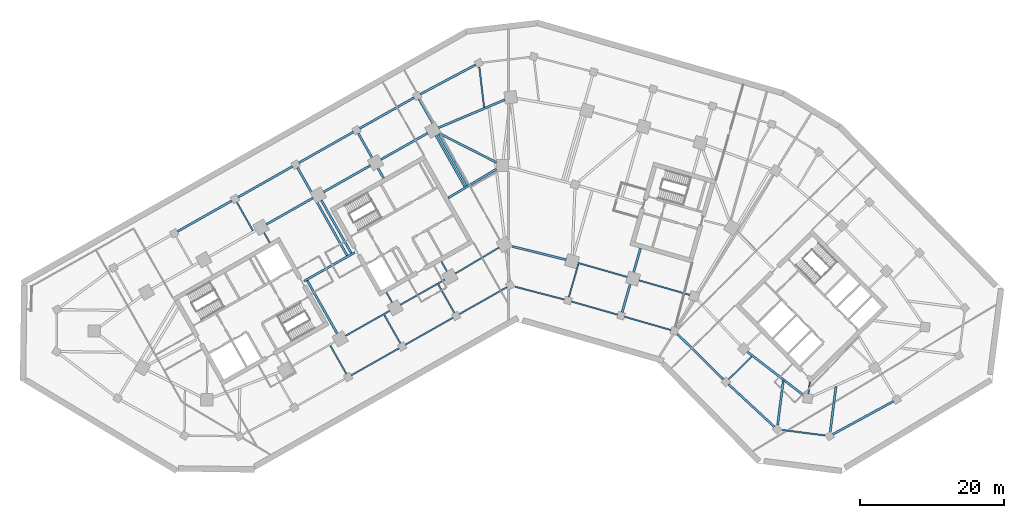
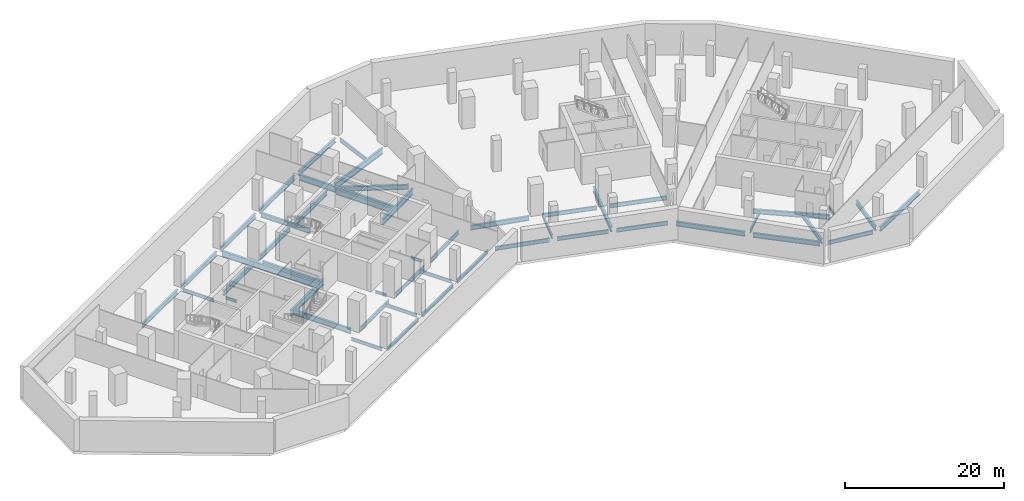
# One storey, part 2 of 13: 49 beams.
"""IFC4 building model written with IfcOpenShell, lengths in metres."""

from ifc_helpers import new_model, si_unit, direction, frame, origin, origin_2d, place, context, subcontext, project, spatial, i_section, extrude, material, material_profile, profile_set, type_object, element, save


model = new_model("IFC4")

# Units and contexts
model_context = context("Model", 3, precision=1e-05, world=origin(), true_north=direction((0.0, 1.0)))
body_context = subcontext(model_context, "Body", "Model", "MODEL_VIEW")
ifc_project = project(units=[si_unit("LENGTHUNIT", "METRE"), si_unit("AREAUNIT", "SQUARE_METRE"), si_unit("VOLUMEUNIT", "CUBIC_METRE"), si_unit("PLANEANGLEUNIT", "RADIAN"), si_unit("MASSUNIT", "GRAM", prefix="KILO")], contexts=[model_context])

# Site, building, storey
site_placement = place(None, origin())
site = spatial("IfcSite", under=ifc_project, at=site_placement, CompositionType="ELEMENT")
building_placement = place(site_placement, origin())
building = spatial("IfcBuilding", under=site, at=building_placement, Name="Binnacle Exchange Tower", CompositionType="ELEMENT")
storey_placement = place(building_placement, frame((0.0, 0.0, -4.800048828125)))
storey = spatial("IfcBuildingStorey", under=building, at=storey_placement, Name="B1", CompositionType="ELEMENT", Elevation=-4.800048828125)

# Beams
ifc_material = material(Name="Steel S355 (SHN355)", Category="steel")
ifc_material_profile_1 = material_profile(ifc_material, i_section(OverallWidth=0.199951171875, OverallDepth=0.60009765625, WebThickness=0.010986328125, FlangeThickness=0.01708984375, FilletRadius=0.02197265625, at=origin_2d()), Name="H 600x200x11x17")
ifc_profile_set_1 = profile_set([ifc_material_profile_1], Name="Steel S355 (SHN355)")
beam_type_1 = type_object("IfcBeamType", Name="Edge girder H 600x200x11x17 Steel S355 (SHN355)", PredefinedType="SPANDREL", material=ifc_profile_set_1)
beam_1_placement = place(storey_placement, frame((15.1474609375, 39.287353515625, -0.699951171875), z_axis=(-0.961262967186, 0.275632922412, 0.0), x_axis=(-0.275632922412, -0.961262967186, 0.0)))
element("IfcBeam", 1, at=beam_1_placement, inside=storey, type_object=beam_type_1, Name="S:BM:edge:B1:051", PredefinedType="SPANDREL", context=body_context, shape_type="SweptSolid", body=[
    extrude(i_section(OverallWidth=0.199951171875, OverallDepth=0.60009765625, WebThickness=0.010986328125, FlangeThickness=0.01708984375, FilletRadius=0.02197265625, at=origin_2d()), origin(), (0.0, 0.0, 1.0), 6.682861328125),
])
beam_2_placement = place(storey_placement, frame((22.532470703125, 37.169677734375, -0.699951171875), z_axis=(-0.961260191586, 0.275642602064, 0.0), x_axis=(-0.275642602064, -0.961260191586, 0.0)))
element("IfcBeam", 2, at=beam_2_placement, inside=storey, type_object=beam_type_1, Name="S:BM:edge:B1:055", PredefinedType="SPANDREL", context=body_context, shape_type="SweptSolid", body=[
    extrude(i_section(OverallWidth=0.199951171875, OverallDepth=0.60009765625, WebThickness=0.010986328125, FlangeThickness=0.01708984375, FilletRadius=0.02197265625, at=origin_2d()), origin(), (0.0, 0.0, 1.0), 6.6826171875),
])
beam_3_placement = place(storey_placement, frame((43.931884765625, 22.540283203125, -0.699951171875), z_axis=(-0.992003760978, 0.126208312743, 0.0), x_axis=(-0.126208312743, -0.992003760978, 0.0)))
element("IfcBeam", 3, at=beam_3_placement, inside=storey, type_object=beam_type_1, Name="S:BM:edge:B1:066", PredefinedType="SPANDREL", context=body_context, shape_type="SweptSolid", body=[
    extrude(i_section(OverallWidth=0.199951171875, OverallDepth=0.60009765625, WebThickness=0.010986328125, FlangeThickness=0.01708984375, FilletRadius=0.02197265625, at=origin_2d()), origin(), (0.0, 0.0, 1.0), 6.081787109375),
])
ifc_material_profile_2 = material_profile(ifc_material, i_section(OverallWidth=0.200927734375, OverallDepth=0.60595703125, WebThickness=0.011962890625, FlangeThickness=0.02001953125, FilletRadius=0.02197265625, at=origin_2d()), Name="H 606x201x12x20")
ifc_profile_set_2 = profile_set([ifc_material_profile_2], Name="Steel S355 (SHN355)")
beam_type_2 = type_object("IfcBeamType", Name="Edge girder H 606x201x12x20 Steel S355 (SHN355)", PredefinedType="SPANDREL", material=ifc_profile_set_2)
beam_4_placement = place(storey_placement, frame((7.7587890625, 41.393310546875, -0.702880859375), z_axis=(-0.967768014177, 0.251843345627, 0.0), x_axis=(-0.251843345627, -0.967768014177, 0.0)))
element("IfcBeam", 4, at=beam_4_placement, inside=storey, type_object=beam_type_2, Name="S:BM:edge:B1:047", PredefinedType="SPANDREL", context=body_context, shape_type="SweptSolid", body=[
    extrude(i_section(OverallWidth=0.200927734375, OverallDepth=0.60595703125, WebThickness=0.011962890625, FlangeThickness=0.02001953125, FilletRadius=0.02197265625, at=origin_2d()), origin(), (0.0, 0.0, 1.0), 7.09521484375),
])
ifc_material_profile_3 = material_profile(ifc_material, i_section(OverallWidth=0.201904296875, OverallDepth=0.612060546875, WebThickness=0.012939453125, FlangeThickness=0.02294921875, FilletRadius=0.02197265625, at=origin_2d()), Name="H 612x202x13x23")
ifc_profile_set_3 = profile_set([ifc_material_profile_3], Name="Steel S355 (SHN355)")
beam_type_3 = type_object("IfcBeamType", Name="Edge girder H 612x202x13x23 Steel S355 (SHN355)", PredefinedType="SPANDREL", material=ifc_profile_set_3)
beam_5_placement = place(storey_placement, frame((-22.6162109375, 36.36474609375, -0.7060546875), z_axis=(0.870350053651, 0.492433532681, 0.0), x_axis=(-0.492433532681, 0.870350053651, 0.0)))
element("IfcBeam", 5, at=beam_5_placement, inside=storey, type_object=beam_type_3, Name="S:BM:edge:B1:033", PredefinedType="SPANDREL", context=body_context, shape_type="SweptSolid", body=[
    extrude(i_section(OverallWidth=0.201904296875, OverallDepth=0.612060546875, WebThickness=0.012939453125, FlangeThickness=0.02294921875, FilletRadius=0.02197265625, at=origin_2d()), origin(), (0.0, 0.0, 1.0), 7.054443359375),
])
beam_6_placement = place(storey_placement, frame((-15.1962890625, 34.63427734375, -0.7060546875), z_axis=(-0.870352907673, -0.492428488316, 0.0), x_axis=(0.492428488316, -0.870352907673, 0.0)))
element("IfcBeam", 6, at=beam_6_placement, inside=storey, type_object=beam_type_3, Name="S:BM:edge:B1:036", PredefinedType="SPANDREL", context=body_context, shape_type="SweptSolid", body=[
    extrude(i_section(OverallWidth=0.201904296875, OverallDepth=0.612060546875, WebThickness=0.012939453125, FlangeThickness=0.02294921875, FilletRadius=0.02197265625, at=origin_2d()), origin(), (0.0, 0.0, 1.0), 7.60546875),
])
beam_7_placement = place(storey_placement, frame((-14.99658203125, 40.67578125, -0.7060546875), z_axis=(0.870364886025, 0.492407316329, 0.0), x_axis=(-0.492407316329, 0.870364886025, 0.0)))
element("IfcBeam", 7, at=beam_7_placement, inside=storey, type_object=beam_type_3, Name="S:BM:edge:B1:037", PredefinedType="SPANDREL", context=body_context, shape_type="SweptSolid", body=[
    extrude(i_section(OverallWidth=0.201904296875, OverallDepth=0.612060546875, WebThickness=0.012939453125, FlangeThickness=0.02294921875, FilletRadius=0.02197265625, at=origin_2d()), origin(), (0.0, 0.0, 1.0), 7.054443359375),
])
beam_8_placement = place(storey_placement, frame((-7.706298828125, 38.871826171875, -0.7060546875), z_axis=(-0.870352907673, -0.492428488316, 0.0), x_axis=(0.492428488316, -0.870352907673, 0.0)))
element("IfcBeam", 8, at=beam_8_placement, inside=storey, type_object=beam_type_3, Name="S:BM:edge:B1:040", PredefinedType="SPANDREL", context=body_context, shape_type="SweptSolid", body=[
    extrude(i_section(OverallWidth=0.201904296875, OverallDepth=0.612060546875, WebThickness=0.012939453125, FlangeThickness=0.02294921875, FilletRadius=0.02197265625, at=origin_2d()), origin(), (0.0, 0.0, 1.0), 7.60546875),
])
beam_9_placement = place(storey_placement, frame((-7.38623046875, 45.002685546875, -0.7060546875), z_axis=(0.859464815262, 0.511194905419, 0.0), x_axis=(-0.511194905419, 0.859464815262, 0.0)))
element("IfcBeam", 9, at=beam_9_placement, inside=storey, type_object=beam_type_3, Name="S:BM:edge:B1:041", PredefinedType="SPANDREL", context=body_context, shape_type="SweptSolid", body=[
    extrude(i_section(OverallWidth=0.201904296875, OverallDepth=0.612060546875, WebThickness=0.012939453125, FlangeThickness=0.02294921875, FilletRadius=0.02197265625, at=origin_2d()), origin(), (0.0, 0.0, 1.0), 7.056396484375),
])
beam_10_placement = place(storey_placement, frame((-0.216552734375, 43.109375, -0.7060546875), z_axis=(-0.870352907673, -0.492428488316, 0.0), x_axis=(0.492428488316, -0.870352907673, 0.0)))
element("IfcBeam", 10, at=beam_10_placement, inside=storey, type_object=beam_type_3, Name="S:BM:edge:B1:044", PredefinedType="SPANDREL", context=body_context, shape_type="SweptSolid", body=[
    extrude(i_section(OverallWidth=0.201904296875, OverallDepth=0.612060546875, WebThickness=0.012939453125, FlangeThickness=0.02294921875, FilletRadius=0.02197265625, at=origin_2d()), origin(), (0.0, 0.0, 1.0), 7.60546875),
])
beam_11_placement = place(storey_placement, frame((9.626708984375, 46.488037109375, -0.7060546875), z_axis=(0.961260850036, -0.275640305812, 0.0), x_axis=(0.275640305812, 0.961260850036, 0.0)))
element("IfcBeam", 11, at=beam_11_placement, inside=storey, type_object=beam_type_3, Name="S:BM:edge:B1:048", PredefinedType="SPANDREL", context=body_context, shape_type="SweptSolid", body=[
    extrude(i_section(OverallWidth=0.201904296875, OverallDepth=0.612060546875, WebThickness=0.012939453125, FlangeThickness=0.02294921875, FilletRadius=0.02197265625, at=origin_2d()), origin(), (0.0, 0.0, 1.0), 7.120361328125),
])
beam_12_placement = place(storey_placement, frame((18.105224609375, 44.056884765625, -0.7060546875), z_axis=(0.96126047873, -0.275641600691, 0.0), x_axis=(0.275641600691, 0.96126047873, 0.0)))
element("IfcBeam", 12, at=beam_12_placement, inside=storey, type_object=beam_type_3, Name="S:BM:edge:B1:053", PredefinedType="SPANDREL", context=body_context, shape_type="SweptSolid", body=[
    extrude(i_section(OverallWidth=0.201904296875, OverallDepth=0.612060546875, WebThickness=0.012939453125, FlangeThickness=0.02294921875, FilletRadius=0.02197265625, at=origin_2d()), origin(), (0.0, 0.0, 1.0), 7.320556640625),
])
ifc_material_profile_4 = material_profile(ifc_material, i_section(OverallWidth=0.300048828125, OverallDepth=0.699951171875, WebThickness=0.012939453125, FlangeThickness=0.02392578125, FilletRadius=0.028076171875, at=origin_2d()), Name="H 700x300x13x24")
ifc_profile_set_4 = profile_set([ifc_material_profile_4], Name="Steel S355 (SHN355)")
beam_type_4 = type_object("IfcBeamType", Name="Edge girder H 700x300x13x24 Steel S355 (SHN355)", PredefinedType="SPANDREL", material=ifc_profile_set_4)
for number, where, z_axis, x_axis, name in (
    (13, (-45.94580078125, 50.830810546875, -0.75), (0.870370078582, 0.492398138003, 0.0), (-0.492398138003, 0.870370078582, 0.0), "S:BM:edge:B1:021"),
    (14, (-37.517333984375, 55.59912109375, -0.75), (0.870339162406, 0.492452781881, 0.0), (-0.492452781881, 0.870339162406, 0.0), "S:BM:edge:B1:026"),
    (15, (-29.089111328125, 60.367919921875, -0.75), (0.870358029477, 0.492419435567, 0.0), (-0.492419435567, 0.870358029477, 0.0), "S:BM:edge:B1:030"),
):
    element("IfcBeam", number, at=place(storey_placement, frame(where, z_axis=z_axis, x_axis=x_axis)), inside=storey, type_object=beam_type_4, Name=name, PredefinedType="SPANDREL", context=body_context, shape_type="SweptSolid", body=[
        extrude(i_section(OverallWidth=0.300048828125, OverallDepth=0.699951171875, WebThickness=0.012939453125, FlangeThickness=0.02392578125, FilletRadius=0.028076171875, at=origin_2d()), origin(), (0.0, 0.0, 1.0), 8.683837890625),
    ])
beam_13_placement = place(storey_placement, frame((-27.12744140625, 55.49169921875, -0.75), z_axis=(-0.870350394687, -0.492432929919, 0.0), x_axis=(0.492432929919, -0.870350394687, 0.0)))
element("IfcBeam", 16, at=beam_13_placement, inside=storey, type_object=beam_type_4, Name="S:BM:edge:B1:031", PredefinedType="SPANDREL", context=body_context, shape_type="SweptSolid", body=[
    extrude(i_section(OverallWidth=0.300048828125, OverallDepth=0.699951171875, WebThickness=0.012939453125, FlangeThickness=0.02392578125, FilletRadius=0.028076171875, at=origin_2d()), origin(), (0.0, 0.0, 1.0), 7.429931640625),
])
beam_14_placement = place(storey_placement, frame((-20.66064453125, 65.136474609375, -0.75), z_axis=(0.870358029477, 0.492419435567, 0.0), x_axis=(-0.492419435567, 0.870358029477, 0.0)))
element("IfcBeam", 17, at=beam_14_placement, inside=storey, type_object=beam_type_4, Name="S:BM:edge:B1:034", PredefinedType="SPANDREL", context=body_context, shape_type="SweptSolid", body=[
    extrude(i_section(OverallWidth=0.300048828125, OverallDepth=0.699951171875, WebThickness=0.012939453125, FlangeThickness=0.02392578125, FilletRadius=0.028076171875, at=origin_2d()), origin(), (0.0, 0.0, 1.0), 8.683837890625),
])
beam_15_placement = place(storey_placement, frame((-19.18115234375, 59.9873046875, -0.75), z_axis=(-0.870364477798, -0.492408037898, 0.0), x_axis=(0.492408037898, -0.870364477798, 0.0)))
element("IfcBeam", 18, at=beam_15_placement, inside=storey, type_object=beam_type_4, Name="S:BM:edge:B1:035", PredefinedType="SPANDREL", context=body_context, shape_type="SweptSolid", body=[
    extrude(i_section(OverallWidth=0.300048828125, OverallDepth=0.699951171875, WebThickness=0.012939453125, FlangeThickness=0.02392578125, FilletRadius=0.028076171875, at=origin_2d()), origin(), (0.0, 0.0, 1.0), 7.4296875),
])
beam_16_placement = place(storey_placement, frame((-12.225830078125, 69.893798828125, -0.75), z_axis=(0.882784358994, 0.469778432365, 0.0), x_axis=(-0.469778432365, 0.882784358994, 0.0)))
element("IfcBeam", 19, at=beam_16_placement, inside=storey, type_object=beam_type_4, Name="S:BM:edge:B1:038", PredefinedType="SPANDREL", context=body_context, shape_type="SweptSolid", body=[
    extrude(i_section(OverallWidth=0.300048828125, OverallDepth=0.699951171875, WebThickness=0.012939453125, FlangeThickness=0.02392578125, FilletRadius=0.028076171875, at=origin_2d()), origin(), (0.0, 0.0, 1.0), 8.686767578125),
])
beam_17_placement = place(storey_placement, frame((-11.23486328125, 64.483154296875, -0.75), z_axis=(-0.870364477798, -0.492408037898, 0.0), x_axis=(0.492408037898, -0.870364477798, 0.0)))
element("IfcBeam", 20, at=beam_17_placement, inside=storey, type_object=beam_type_4, Name="S:BM:edge:B1:039", PredefinedType="SPANDREL", context=body_context, shape_type="SweptSolid", body=[
    extrude(i_section(OverallWidth=0.300048828125, OverallDepth=0.699951171875, WebThickness=0.012939453125, FlangeThickness=0.02392578125, FilletRadius=0.028076171875, at=origin_2d()), origin(), (0.0, 0.0, 1.0), 7.4296875),
])
beam_18_placement = place(storey_placement, frame((0.54443359375, 48.763916015625, -0.75), z_axis=(0.970818997342, -0.239813415805, 0.0), x_axis=(0.239813415805, 0.970818997342, 0.0)))
element("IfcBeam", 21, at=beam_18_placement, inside=storey, type_object=beam_type_4, Name="S:BM:edge:B1:045", PredefinedType="SPANDREL", context=body_context, shape_type="SweptSolid", body=[
    extrude(i_section(OverallWidth=0.300048828125, OverallDepth=0.699951171875, WebThickness=0.012939453125, FlangeThickness=0.02392578125, FilletRadius=0.028076171875, at=origin_2d()), origin(), (0.0, 0.0, 1.0), 7.662841796875),
])
beam_19_placement = place(storey_placement, frame((29.81640625, 30.31689453125, -0.75), z_axis=(-0.711708607818, 0.702474809198, 0.0), x_axis=(-0.702474809198, -0.711708607818, 0.0)))
element("IfcBeam", 22, at=beam_19_placement, inside=storey, type_object=beam_type_4, Name="S:BM:edge:B1:059", PredefinedType="SPANDREL", context=body_context, shape_type="SweptSolid", body=[
    extrude(i_section(OverallWidth=0.300048828125, OverallDepth=0.699951171875, WebThickness=0.012939453125, FlangeThickness=0.02392578125, FilletRadius=0.028076171875, at=origin_2d()), origin(), (0.0, 0.0, 1.0), 8.989501953125),
])
beam_20_placement = place(storey_placement, frame((33.160400390625, 34.12890625, -0.75), z_axis=(0.791533490776, -0.611125791454, 0.0), x_axis=(0.611125791454, 0.791533490776, 0.0)))
element("IfcBeam", 23, at=beam_20_placement, inside=storey, type_object=beam_type_4, Name="S:BM:edge:B1:060", PredefinedType="SPANDREL", context=body_context, shape_type="SweptSolid", body=[
    extrude(i_section(OverallWidth=0.300048828125, OverallDepth=0.699951171875, WebThickness=0.012939453125, FlangeThickness=0.02392578125, FilletRadius=0.028076171875, at=origin_2d()), origin(), (0.0, 0.0, 1.0), 9.80712890625),
])
beam_21_placement = place(storey_placement, frame((36.89990234375, 23.728515625, -0.75), z_axis=(-0.733314595009, 0.679889479803, 0.0), x_axis=(-0.679889479803, -0.733314595009, 0.0)))
element("IfcBeam", 24, at=beam_21_placement, inside=storey, type_object=beam_type_4, Name="S:BM:edge:B1:062", PredefinedType="SPANDREL", context=body_context, shape_type="SweptSolid", body=[
    extrude(i_section(OverallWidth=0.300048828125, OverallDepth=0.699951171875, WebThickness=0.012939453125, FlangeThickness=0.02392578125, FilletRadius=0.028076171875, at=origin_2d()), origin(), (0.0, 0.0, 1.0), 8.67333984375),
])
beam_22_placement = place(storey_placement, frame((53.42431640625, 27.28369140625, -0.75), z_axis=(-0.878284521439, -0.478138368468, 0.0), x_axis=(0.478138368468, -0.878284521439, 0.0)))
element("IfcBeam", 25, at=beam_22_placement, inside=storey, type_object=beam_type_4, Name="S:BM:edge:B1:071", PredefinedType="SPANDREL", context=body_context, shape_type="SweptSolid", body=[
    extrude(i_section(OverallWidth=0.300048828125, OverallDepth=0.699951171875, WebThickness=0.012939453125, FlangeThickness=0.02392578125, FilletRadius=0.028076171875, at=origin_2d()), origin(), (0.0, 0.0, 1.0), 9.588134765625),
])
ifc_material_profile_5 = material_profile(ifc_material, i_section(OverallWidth=0.302978515625, OverallDepth=0.91796875, WebThickness=0.01904296875, FlangeThickness=0.037109375, FilletRadius=0.028076171875, at=origin_2d()), Name="H 918x303x19x37")
ifc_profile_set_5 = profile_set([ifc_material_profile_5], Name="Steel S355 (SHN355)")
beam_type_5 = type_object("IfcBeamType", Name="Edge girder H 918x303x19x37 Steel S355 (SHN355)", PredefinedType="SPANDREL", material=ifc_profile_set_5)
beam_23_placement = place(storey_placement, frame((-0.51513671875, 69.11962890625, -0.85888671875), z_axis=(-0.921111373297, -0.389299162578, 0.0), x_axis=(0.389299162578, -0.921111373297, 0.0)))
element("IfcBeam", 26, at=beam_23_placement, inside=storey, type_object=beam_type_5, Name="S:BM:edge:B1:043", PredefinedType="SPANDREL", context=body_context, shape_type="SweptSolid", body=[
    extrude(i_section(OverallWidth=0.302978515625, OverallDepth=0.91796875, WebThickness=0.01904296875, FlangeThickness=0.037109375, FilletRadius=0.028076171875, at=origin_2d()), origin(), (0.0, 0.0, 1.0), 9.978759765625),
])
ifc_material_profile_6 = material_profile(ifc_material, i_section(OverallWidth=0.199951171875, OverallDepth=0.39990234375, WebThickness=0.008056640625, FlangeThickness=0.012939453125, FilletRadius=0.01611328125, at=origin_2d()), Name="H 400x200x8x13")
ifc_profile_set_6 = profile_set([ifc_material_profile_6], Name="Steel S355 (SHN355)")
beam_type_6 = type_object("IfcBeamType", Name="Floor beam H 400x200x8x13 Steel S355 (SHN355)", PredefinedType="BEAM", material=ifc_profile_set_6)
beam_24_placement = place(storey_placement, frame((-33.915283203125, 50.674560546875, -0.599853515625), z_axis=(0.492483715062, -0.870321659158, 0.0), x_axis=(0.870321659158, 0.492483715062, 0.0)))
element("IfcBeam", 27, at=beam_24_placement, inside=storey, type_object=beam_type_6, Name="S:BM:cross:B1:087", PredefinedType="BEAM", context=body_context, shape_type="SweptSolid", body=[
    extrude(i_section(OverallWidth=0.199951171875, OverallDepth=0.39990234375, WebThickness=0.008056640625, FlangeThickness=0.012939453125, FilletRadius=0.01611328125, at=origin_2d()), origin(), (0.0, 0.0, 1.0), 1.58447265625),
])
beam_25_placement = place(storey_placement, frame((-16.155029296875, 40.9970703125, -0.599853515625), z_axis=(-0.492366981934, 0.870387703901, 0.0), x_axis=(-0.870387703901, -0.492366981934, 0.0)))
element("IfcBeam", 28, at=beam_25_placement, inside=storey, type_object=beam_type_6, Name="S:BM:cross:B1:095", PredefinedType="BEAM", context=body_context, shape_type="SweptSolid", body=[
    extrude(i_section(OverallWidth=0.199951171875, OverallDepth=0.39990234375, WebThickness=0.008056640625, FlangeThickness=0.012939453125, FilletRadius=0.01611328125, at=origin_2d()), origin(), (0.0, 0.0, 1.0), 1.584228515625),
])
beam_26_placement = place(storey_placement, frame((-8.535400390625, 45.307861328125, -0.599853515625), z_axis=(-0.492483715062, 0.870321659158, 0.0), x_axis=(-0.870321659158, -0.492483715062, 0.0)))
element("IfcBeam", 29, at=beam_26_placement, inside=storey, type_object=beam_type_6, Name="S:BM:cross:B1:099", PredefinedType="BEAM", context=body_context, shape_type="SweptSolid", body=[
    extrude(i_section(OverallWidth=0.199951171875, OverallDepth=0.39990234375, WebThickness=0.008056640625, FlangeThickness=0.012939453125, FilletRadius=0.01611328125, at=origin_2d()), origin(), (0.0, 0.0, 1.0), 1.58447265625),
])
beam_27_placement = place(storey_placement, frame((41.601806640625, 28.319580078125, -0.599853515625), z_axis=(0.126197116971, 0.992005185303, 0.0), x_axis=(-0.992005185303, 0.126197116971, 0.0)))
element("IfcBeam", 30, at=beam_27_placement, inside=storey, type_object=beam_type_6, Name="S:BM:cross:B1:118", PredefinedType="BEAM", context=body_context, shape_type="SweptSolid", body=[
    extrude(i_section(OverallWidth=0.199951171875, OverallDepth=0.39990234375, WebThickness=0.008056640625, FlangeThickness=0.012939453125, FilletRadius=0.01611328125, at=origin_2d()), origin(), (0.0, 0.0, 1.0), 1.68115234375),
])
ifc_material_profile_7 = material_profile(ifc_material, i_section(OverallWidth=0.200927734375, OverallDepth=0.506103515625, WebThickness=0.010986328125, FlangeThickness=0.01904296875, FilletRadius=0.02001953125, at=origin_2d()), Name="H 506x201x11x19")
ifc_profile_set_7 = profile_set([ifc_material_profile_7], Name="Steel S355 (SHN355)")
beam_type_7 = type_object("IfcBeamType", Name="Floor beam H 506x201x11x19 Steel S355 (SHN355)", PredefinedType="BEAM", material=ifc_profile_set_7)
beam_28_placement = place(storey_placement, frame((-37.706298828125, 54.917724609375, -0.65283203125), z_axis=(0.492415355874, -0.870360337619, 0.0), x_axis=(0.870360337619, 0.492415355874, 0.0)))
element("IfcBeam", 31, at=beam_28_placement, inside=storey, type_object=beam_type_7, Name="S:BM:cross:B1:085", PredefinedType="BEAM", context=body_context, shape_type="SweptSolid", body=[
    extrude(i_section(OverallWidth=0.200927734375, OverallDepth=0.506103515625, WebThickness=0.010986328125, FlangeThickness=0.01904296875, FilletRadius=0.02001953125, at=origin_2d()), origin(), (0.0, 0.0, 1.0), 4.559814453125),
])
for number, where, z_axis, x_axis, name in (
    (32, (-22.4970703125, 31.078125, -0.65283203125), (-0.492403272389, 0.870367173864, 0.0), (-0.870367173864, -0.492403272389, 0.0), "S:BM:cross:B1:093"),
    (33, (-15.007080078125, 35.315673828125, -0.65283203125), (-0.4924442794, 0.8703439732, 0.0), (-0.8703439732, -0.4924442794, 0.0), "S:BM:cross:B1:096"),
    (34, (-7.517333984375, 39.55322265625, -0.65283203125), (-0.4924442794, 0.8703439732, 0.0), (-0.8703439732, -0.4924442794, 0.0), "S:BM:cross:B1:100"),
):
    element("IfcBeam", number, at=place(storey_placement, frame(where, z_axis=z_axis, x_axis=x_axis)), inside=storey, type_object=beam_type_7, Name=name, PredefinedType="BEAM", context=body_context, shape_type="SweptSolid", body=[
        extrude(i_section(OverallWidth=0.200927734375, OverallDepth=0.506103515625, WebThickness=0.010986328125, FlangeThickness=0.01904296875, FilletRadius=0.02001953125, at=origin_2d()), origin(), (0.0, 0.0, 1.0), 4.510009765625),
    ])
beam_29_placement = place(storey_placement, frame((30.529052734375, 30.316162109375, -0.65283203125), z_axis=(0.713237882923, 0.700922051561, 0.0), x_axis=(-0.700922051561, 0.713237882923, 0.0)))
element("IfcBeam", 35, at=beam_29_placement, inside=storey, type_object=beam_type_7, Name="S:BM:cross:B1:113", PredefinedType="BEAM", context=body_context, shape_type="SweptSolid", body=[
    extrude(i_section(OverallWidth=0.200927734375, OverallDepth=0.506103515625, WebThickness=0.010986328125, FlangeThickness=0.01904296875, FilletRadius=0.02001953125, at=origin_2d()), origin(), (0.0, 0.0, 1.0), 4.519775390625),
])
ifc_material_profile_8 = material_profile(ifc_material, i_section(OverallWidth=0.199951171875, OverallDepth=0.60009765625, WebThickness=0.010986328125, FlangeThickness=0.01708984375, FilletRadius=0.02197265625, at=origin_2d()), Name="H 600x200x11x17")
ifc_profile_set_8 = profile_set([ifc_material_profile_8], Name="Steel S355 (SHN355)")
beam_type_8 = type_object("IfcBeamType", Name="Floor beam H 600x200x11x17 Steel S355 (SHN355)", PredefinedType="BEAM", material=ifc_profile_set_8)
beam_30_placement = place(storey_placement, frame((8.380615234375, 41.747802734375, -0.699951171875), z_axis=(0.275651024235, 0.961257776477, 0.0), x_axis=(-0.961257776477, 0.275651024235, 0.0)))
element("IfcBeam", 36, at=beam_30_placement, inside=storey, type_object=beam_type_8, Name="S:BM:cross:B1:105", PredefinedType="BEAM", context=body_context, shape_type="SweptSolid", body=[
    extrude(i_section(OverallWidth=0.199951171875, OverallDepth=0.60009765625, WebThickness=0.010986328125, FlangeThickness=0.01708984375, FilletRadius=0.02197265625, at=origin_2d()), origin(), (0.0, 0.0, 1.0), 4.75),
])
ifc_material_profile_9 = material_profile(ifc_material, i_section(OverallWidth=0.201904296875, OverallDepth=0.612060546875, WebThickness=0.012939453125, FlangeThickness=0.02294921875, FilletRadius=0.02197265625, at=origin_2d()), Name="H 612x202x13x23")
ifc_profile_set_9 = profile_set([ifc_material_profile_9], Name="Steel S355 (SHN355)")
beam_type_9 = type_object("IfcBeamType", Name="Floor beam H 612x202x13x23 Steel S355 (SHN355)", PredefinedType="BEAM", material=ifc_profile_set_9)
beam_31_placement = place(storey_placement, frame((-4.05224609375, 73.67138671875, -0.7060546875), z_axis=(0.117558403609, -0.993065970488, 0.0), x_axis=(0.993065970488, 0.117558403609, 0.0)))
element("IfcBeam", 37, at=beam_31_placement, inside=storey, type_object=beam_type_9, Name="S:BM:cross:B1:101", PredefinedType="BEAM", context=body_context, shape_type="SweptSolid", body=[
    extrude(i_section(OverallWidth=0.201904296875, OverallDepth=0.612060546875, WebThickness=0.012939453125, FlangeThickness=0.02294921875, FilletRadius=0.02197265625, at=origin_2d()), origin(), (0.0, 0.0, 1.0), 5.648681640625),
])
ifc_material_profile_10 = material_profile(ifc_material, i_section(OverallWidth=0.300048828125, OverallDepth=0.699951171875, WebThickness=0.012939453125, FlangeThickness=0.02392578125, FilletRadius=0.028076171875, at=origin_2d()), Name="H 700x300x13x24")
ifc_profile_set_10 = profile_set([ifc_material_profile_10], Name="Steel S355 (SHN355)")
beam_type_10 = type_object("IfcBeamType", Name="Floor beam H 700x300x13x24 Steel S355 (SHN355)", PredefinedType="BEAM", material=ifc_profile_set_10)
beam_32_placement = place(storey_placement, frame((-20.849609375, 64.455078125, -0.75), z_axis=(0.492432183245, -0.870350817145, 0.0), x_axis=(0.870350817145, 0.492432183245, 0.0)))
element("IfcBeam", 38, at=beam_32_placement, inside=storey, type_object=beam_type_10, Name="S:BM:cross:B1:094", PredefinedType="BEAM", context=body_context, shape_type="SweptSolid", body=[
    extrude(i_section(OverallWidth=0.300048828125, OverallDepth=0.699951171875, WebThickness=0.012939453125, FlangeThickness=0.02392578125, FilletRadius=0.028076171875, at=origin_2d()), origin(), (0.0, 0.0, 1.0), 7.144287109375),
])
beam_33_placement = place(storey_placement, frame((37.347412109375, 24.019775390625, -0.75), z_axis=(0.126189771205, 0.992006119761, 0.0), x_axis=(-0.992006119761, 0.126189771205, 0.0)))
element("IfcBeam", 39, at=beam_33_placement, inside=storey, type_object=beam_type_10, Name="S:BM:cross:B1:117", PredefinedType="BEAM", context=body_context, shape_type="SweptSolid", body=[
    extrude(i_section(OverallWidth=0.300048828125, OverallDepth=0.699951171875, WebThickness=0.012939453125, FlangeThickness=0.02392578125, FilletRadius=0.028076171875, at=origin_2d()), origin(), (0.0, 0.0, 1.0), 6.162109375),
])
beam_34_placement = place(storey_placement, frame((44.643798828125, 23.091552734375, -0.75), z_axis=(0.126227881038, 0.992001271193, 0.0), x_axis=(-0.992001271193, 0.126227881038, 0.0)))
element("IfcBeam", 40, at=beam_34_placement, inside=storey, type_object=beam_type_10, Name="S:BM:cross:B1:120", PredefinedType="BEAM", context=body_context, shape_type="SweptSolid", body=[
    extrude(i_section(OverallWidth=0.300048828125, OverallDepth=0.699951171875, WebThickness=0.012939453125, FlangeThickness=0.02392578125, FilletRadius=0.028076171875, at=origin_2d()), origin(), (0.0, 0.0, 1.0), 6.287841796875),
])
ifc_material_profile_11 = material_profile(ifc_material, i_section(OverallWidth=0.300048828125, OverallDepth=0.800048828125, WebThickness=0.013916015625, FlangeThickness=0.02587890625, FilletRadius=0.028076171875, at=origin_2d()), Name="H 800x300x14x26")
ifc_profile_set_11 = profile_set([ifc_material_profile_11], Name="Steel S355 (SHN355)")
beam_type_11 = type_object("IfcBeamType", Name="Floor beam H 800x300x14x26 Steel S355 (SHN355)", PredefinedType="BEAM", material=ifc_profile_set_11)
for number, where, z_axis, x_axis, name in (
    (41, (-25.968994140625, 55.17041015625, -0.800048828125), (0.492409177884, -0.870363832851, 0.0), (0.870363832851, 0.492409177884, 0.0), "S:BM:cross:B1:091"),
    (42, (-23.774658203125, 36.68603515625, -0.800048828125), (-0.492409177884, 0.870363832851, 0.0), (-0.870363832851, -0.492409177884, 0.0), "S:BM:cross:B1:092"),
):
    element("IfcBeam", number, at=place(storey_placement, frame(where, z_axis=z_axis, x_axis=x_axis)), inside=storey, type_object=beam_type_11, Name=name, PredefinedType="BEAM", context=body_context, shape_type="SweptSolid", body=[
        extrude(i_section(OverallWidth=0.300048828125, OverallDepth=0.800048828125, WebThickness=0.013916015625, FlangeThickness=0.02587890625, FilletRadius=0.028076171875, at=origin_2d()), origin(), (0.0, 0.0, 1.0), 8.43408203125),
    ])
beam_35_placement = place(storey_placement, frame((-10.076416015625, 64.161865234375, -0.800048828125), z_axis=(0.492410737926, -0.870362950254, 0.0), x_axis=(0.870362950254, 0.492410737926, 0.0)))
element("IfcBeam", 43, at=beam_35_placement, inside=storey, type_object=beam_type_11, Name="S:BM:cross:B1:098", PredefinedType="BEAM", context=body_context, shape_type="SweptSolid", body=[
    extrude(i_section(OverallWidth=0.300048828125, OverallDepth=0.800048828125, WebThickness=0.013916015625, FlangeThickness=0.02587890625, FilletRadius=0.028076171875, at=origin_2d()), origin(), (0.0, 0.0, 1.0), 8.16943359375),
])
ifc_material_profile_12 = material_profile(ifc_material, i_section(OverallWidth=0.302001953125, OverallDepth=0.80810546875, WebThickness=0.01611328125, FlangeThickness=0.030029296875, FilletRadius=0.028076171875, at=origin_2d()), Name="H 808x302x16x30")
ifc_profile_set_12 = profile_set([ifc_material_profile_12], Name="Steel S355 (SHN355)")
beam_type_12 = type_object("IfcBeamType", Name="Floor beam H 808x302x16x30 Steel S355 (SHN355)", PredefinedType="BEAM", material=ifc_profile_set_12)
beam_36_placement = place(storey_placement, frame((15.765869140625, 39.630126953125, -0.803955078125), z_axis=(0.2756218268, 0.961266148677, 0.0), x_axis=(-0.961266148677, 0.2756218268, 0.0)))
element("IfcBeam", 44, at=beam_36_placement, inside=storey, type_object=beam_type_12, Name="S:BM:cross:B1:109", PredefinedType="BEAM", context=body_context, shape_type="SweptSolid", body=[
    extrude(i_section(OverallWidth=0.302001953125, OverallDepth=0.80810546875, WebThickness=0.01611328125, FlangeThickness=0.030029296875, FilletRadius=0.028076171875, at=origin_2d()), origin(), (0.0, 0.0, 1.0), 9.235107421875),
])
ifc_material_profile_13 = material_profile(ifc_material, i_section(OverallWidth=0.302978515625, OverallDepth=0.91796875, WebThickness=0.01904296875, FlangeThickness=0.037109375, FilletRadius=0.028076171875, at=origin_2d()), Name="H 918x303x19x37")
ifc_profile_set_13 = profile_set([ifc_material_profile_13], Name="Steel S355 (SHN355)")
beam_type_13 = type_object("IfcBeamType", Name="Floor beam H 918x303x19x37 Steel S355 (SHN355)", PredefinedType="BEAM", material=ifc_profile_set_13)
beam_37_placement = place(storey_placement, frame((-29.278076171875, 59.686279296875, -0.85888671875), z_axis=(0.492433176399, -0.870350255232, 0.0), x_axis=(0.870350255232, 0.492433176399, 0.0)))
element("IfcBeam", 45, at=beam_37_placement, inside=storey, type_object=beam_type_13, Name="S:BM:cross:B1:090", PredefinedType="BEAM", context=body_context, shape_type="SweptSolid", body=[
    extrude(i_section(OverallWidth=0.302978515625, OverallDepth=0.91796875, WebThickness=0.01904296875, FlangeThickness=0.037109375, FilletRadius=0.028076171875, at=origin_2d()), origin(), (0.0, 0.0, 1.0), 13.993896484375),
])
beam_38_placement = place(storey_placement, frame((-12.421142578125, 69.223388671875, -0.85888671875), z_axis=(0.492429600636, -0.870352278344, 0.0), x_axis=(0.870352278344, 0.492429600636, 0.0)))
element("IfcBeam", 46, at=beam_38_placement, inside=storey, type_object=beam_type_13, Name="S:BM:cross:B1:097", PredefinedType="BEAM", context=body_context, shape_type="SweptSolid", body=[
    extrude(i_section(OverallWidth=0.302978515625, OverallDepth=0.91796875, WebThickness=0.01904296875, FlangeThickness=0.037109375, FilletRadius=0.028076171875, at=origin_2d()), origin(), (0.0, 0.0, 1.0), 13.718017578125),
])
ifc_material_profile_14 = material_profile(ifc_material, i_section(OverallWidth=0.300048828125, OverallDepth=0.699951171875, WebThickness=0.012939453125, FlangeThickness=0.02392578125, FilletRadius=0.028076171875, at=origin_2d()), Name="H 700x300x13x24")
ifc_profile_set_14 = profile_set([ifc_material_profile_14], Name="Steel S355 (SHN355)")
beam_type_14 = type_object("IfcBeamType", Name="Spine girder H 700x300x13x24 Steel S355 (SHN355)", PredefinedType="BEAM", material=ifc_profile_set_14)
beam_39_placement = place(storey_placement, frame((-1.699951171875, 60.431884765625, -0.75), z_axis=(-0.891471296315, 0.45307717648, 0.0), x_axis=(-0.45307717648, -0.891471296315, 0.0)))
element("IfcBeam", 47, at=beam_39_placement, inside=storey, type_object=beam_type_14, Name="S:BM:spine:B1:004", PredefinedType="BEAM", context=body_context, shape_type="SweptSolid", body=[
    extrude(i_section(OverallWidth=0.300048828125, OverallDepth=0.699951171875, WebThickness=0.012939453125, FlangeThickness=0.02392578125, FilletRadius=0.028076171875, at=origin_2d()), origin(), (0.0, 0.0, 1.0), 8.845703125),
])
ifc_material_profile_15 = material_profile(ifc_material, i_section(OverallWidth=0.302978515625, OverallDepth=0.91796875, WebThickness=0.01904296875, FlangeThickness=0.037109375, FilletRadius=0.028076171875, at=origin_2d()), Name="H 918x303x19x37")
ifc_profile_set_15 = profile_set([ifc_material_profile_15], Name="Steel S355 (SHN355)")
beam_type_15 = type_object("IfcBeamType", Name="Spine girder H 918x303x19x37 Steel S355 (SHN355)", PredefinedType="BEAM", material=ifc_profile_set_15)
beam_40_placement = place(storey_placement, frame((-28.365478515625, 43.951416015625, -0.85888671875), z_axis=(0.870350319004, 0.492433063684, 0.0), x_axis=(-0.492433063684, 0.870350319004, 0.0)))
element("IfcBeam", 48, at=beam_40_placement, inside=storey, type_object=beam_type_15, Name="S:BM:spine:B1:002", PredefinedType="BEAM", context=body_context, shape_type="SweptSolid", body=[
    extrude(i_section(OverallWidth=0.302978515625, OverallDepth=0.91796875, WebThickness=0.01904296875, FlangeThickness=0.037109375, FilletRadius=0.028076171875, at=origin_2d()), origin(), (0.0, 0.0, 1.0), 8.0908203125),
])
beam_41_placement = place(storey_placement, frame((-8.36328125, 55.489990234375, -0.85888671875), z_axis=(0.857393122678, 0.514662057261, 0.0), x_axis=(-0.514662057261, 0.857393122678, 0.0)))
element("IfcBeam", 49, at=beam_41_placement, inside=storey, type_object=beam_type_15, Name="S:BM:spine:B1:003", PredefinedType="BEAM", context=body_context, shape_type="SweptSolid", body=[
    extrude(i_section(OverallWidth=0.302978515625, OverallDepth=0.91796875, WebThickness=0.01904296875, FlangeThickness=0.037109375, FilletRadius=0.028076171875, at=origin_2d()), origin(), (0.0, 0.0, 1.0), 7.771728515625),
])

save(model, "model.ifc")
